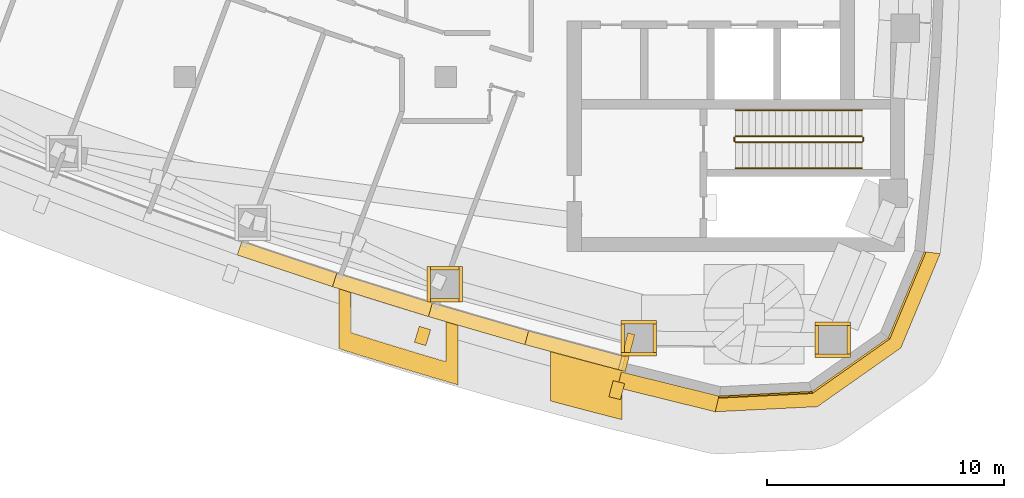
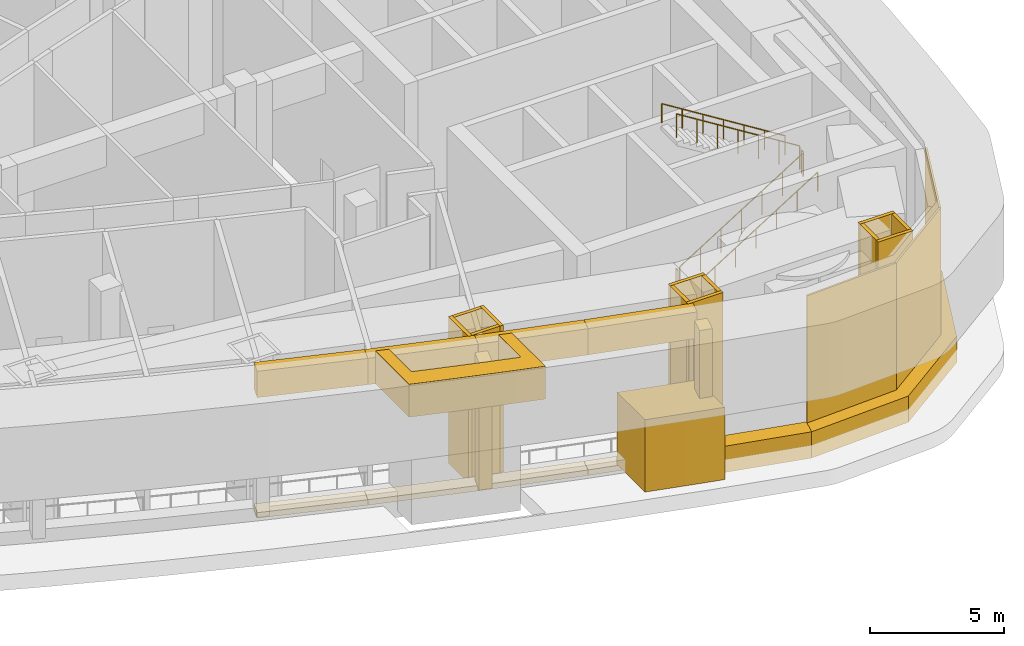
# One storey, part 9 of 12: 30 coverings, 6 railings.
"""IFC4 building model written with IfcOpenShell, lengths in metres."""

from ifc_helpers import new_model, si_unit, direction, frame, frame_2d, origin, origin_2d, place, context, subcontext, project, spatial, polyline, rectangle, circle, outline, extrude, material, layer, layer_set, type_object, element, save


model = new_model("IFC4")

# Units and contexts
model_context = context("Model", 3, precision=1e-05, world=origin(), true_north=direction((0.0, 1.0)))
body_context = subcontext(model_context, "Body", "Model", "MODEL_VIEW")
ifc_project = project(units=[si_unit("LENGTHUNIT", "METRE"), si_unit("AREAUNIT", "SQUARE_METRE"), si_unit("VOLUMEUNIT", "CUBIC_METRE"), si_unit("PLANEANGLEUNIT", "RADIAN"), si_unit("MASSUNIT", "GRAM", prefix="KILO")], contexts=[model_context])

# Site, building, storey
site_placement = place(None, origin())
site = spatial("IfcSite", under=ifc_project, at=site_placement, CompositionType="ELEMENT")
building_placement = place(site_placement, origin())
building = spatial("IfcBuilding", under=site, at=building_placement, Name="Ostrand Prow Hotel Tower", CompositionType="ELEMENT")
storey_placement = place(building_placement, frame((0.0, 0.0, 256.300048828125)))
storey = spatial("IfcBuildingStorey", under=building, at=storey_placement, Name="L65", CompositionType="ELEMENT", Elevation=256.300048828125)

# Coverings
ifc_material_1 = material(Name="Limestone cladding", Category="masonry")
ifc_layer_1 = layer(ifc_material_1, 2.0)
ifc_layer_set_1 = layer_set([ifc_layer_1], Name="Limestone cladding")
covering_type_1 = type_object("IfcCoveringType", Name="Belt lip limestone", PredefinedType="CLADDING", material=ifc_layer_set_1)
covering_1_placement = place(storey_placement, frame((0.0, 0.0, 0.300048828125)))
element("IfcCovering", 1, at=covering_1_placement, inside=storey, type_object=covering_type_1, Name="Slot frame post SB", PredefinedType="CLADDING", context=body_context, shape_type="SweptSolid", body=[
    extrude(outline(polyline([(49.40625, -20.56787109375), (49.40625, -22.640380859375), (50.15625, -22.841796875), (50.90625, -23.0400390625), (51.65625, -23.235595703125), (52.40625, -23.427978515625), (52.40625, -21.363525390625), (51.65625, -21.169189453125), (50.90625, -20.9716796875), (50.15625, -20.771240234375), (49.40625, -20.56787109375)])), origin(), (0.0, 0.0, 1.0), 3.2998046875),
])
ifc_material_2 = material(Name="Bronze anodised aluminium cladding", Category="aluminium")
ifc_layer_2 = layer(ifc_material_2, 0.60009765625)
ifc_layer_set_2 = layer_set([ifc_layer_2], Name="Bronze anodised aluminium cladding")
covering_type_2 = type_object("IfcCoveringType", Name="Bronze spandrel band 1200x600", PredefinedType="CLADDING", material=ifc_layer_set_2)
covering_2_placement = place(storey_placement, frame((0.0, 0.0, -0.300048828125)))
element("IfcCovering", 2, at=covering_2_placement, inside=storey, type_object=covering_type_2, Name="Spandrel band back 1", PredefinedType="CLADDING", context=body_context, shape_type="SweptSolid", body=[
    extrude(outline(polyline([(52.22119140625, -22.081787109375), (56.34130859375, -23.09814453125), (56.49755859375, -22.436279296875), (52.390869140625, -21.42333984375), (52.22119140625, -22.081787109375)])), origin(), (0.0, 0.0, 1.0), 1.199951171875),
])
covering_3_placement = place(storey_placement, frame((0.0, 0.0, -0.300048828125)))
element("IfcCovering", 3, at=covering_3_placement, inside=storey, type_object=covering_type_2, Name="Spandrel band back 2", PredefinedType="CLADDING", context=body_context, shape_type="SweptSolid", body=[
    extrude(outline(polyline([(56.34130859375, -23.09814453125), (60.638671875, -22.8837890625), (64.15771484375, -20.408447265625), (65.81201171875, -16.4365234375), (65.2158203125, -16.368896484375), (63.689697265625, -20.032958984375), (60.443359375, -22.316650390625), (56.47900390625, -22.51416015625), (56.34130859375, -23.09814453125)])), origin(), (0.0, 0.0, 1.0), 1.199951171875),
])
ifc_material_3 = material(Name="Limestone cladding", Category="masonry")
ifc_layer_3 = layer(ifc_material_3, 4.0)
ifc_layer_set_3 = layer_set([ifc_layer_3], Name="Limestone cladding")
covering_type_3 = type_object("IfcCoveringType", Name="Portal lintel limestone", PredefinedType="CLADDING", material=ifc_layer_set_3)
covering_4_placement = place(storey_placement, frame((0.0, 0.0, 5.5)))
element("IfcCovering", 4, at=covering_4_placement, inside=storey, type_object=covering_type_3, Name="Portal jamb cap SB L65", PredefinedType="CLADDING", context=body_context, shape_type="SweptSolid", body=[
    extrude(outline(polyline([(40.99072265625, -18.077880859375), (40.5, -17.92138671875), (40.5, -20.44091796875), (41.5, -20.755615234375), (42.5, -21.064697265625), (43.5, -21.36865234375), (44.5, -21.667236328125), (45.5, -21.960205078125), (45.5, -19.4599609375), (45.010009765625, -19.314453125), (45.010009765625, -20.980712890625), (45.010009765625, -20.981689453125), (45.009765625, -20.982666015625), (45.009521484375, -20.9833984375), (45.00927734375, -20.984375), (45.0087890625, -20.9853515625), (45.00830078125, -20.986083984375), (45.0078125, -20.98681640625), (45.007080078125, -20.98779296875), (45.00634765625, -20.98828125), (45.005615234375, -20.989013671875), (45.004638671875, -20.989501953125), (45.00390625, -20.98974609375), (45.0029296875, -20.990234375), (45.001953125, -20.990478515625), (45.0009765625, -20.990478515625), (45.0, -20.990478515625), (44.9990234375, -20.990478515625), (44.998046875, -20.990478515625), (44.997314453125, -20.990234375), (43.997314453125, -20.693115234375), (43.9970703125, -20.693115234375), (42.9970703125, -20.390625), (42.9970703125, -20.390625), (41.9970703125, -20.0830078125), (41.9970703125, -20.0830078125), (40.9970703125, -19.76953125), (40.99609375, -19.769287109375), (40.9951171875, -19.768798828125), (40.994384765625, -19.768310546875), (40.99365234375, -19.767822265625), (40.992919921875, -19.76708984375), (40.9921875, -19.766357421875), (40.99169921875, -19.765625), (40.9912109375, -19.764892578125), (40.99072265625, -19.763916015625), (40.990478515625, -19.762939453125), (40.990234375, -19.761962890625), (40.989990234375, -19.760986328125), (40.989990234375, -19.760009765625), (40.989990234375, -18.08154296875), (40.989990234375, -18.08056640625), (40.990234375, -18.07958984375), (40.990478515625, -18.07861328125), (40.99072265625, -18.077880859375)])), origin(), (0.0, 0.0, 1.0), 1.5),
])
ifc_material_4 = material(Name="Limestone cladding", Category="masonry")
ifc_layer_4 = layer(ifc_material_4, 0.5)
ifc_layer_set_4 = layer_set([ifc_layer_4], Name="Limestone cladding")
covering_type_4 = type_object("IfcCoveringType", Name="Precast stone fin 500x600", PredefinedType="CLADDING", material=ifc_layer_set_4)
covering_5_placement = place(storey_placement, frame((44.11669921875, -19.570068359375, 0.89990234375), z_axis=(0.0, 0.0, 1.0), x_axis=(-0.288371415505, -0.95751862996, 0.0)))
element("IfcCovering", 5, at=covering_5_placement, inside=storey, type_object=covering_type_4, Name="Stone fin S 9", PredefinedType="CLADDING", context=body_context, shape_type="SweptSolid", body=[
    extrude(rectangle(XDim=0.7001953125, YDim=0.5, at=frame_2d((0.35009765625, 0.0))), origin(), (0.0, 0.0, 1.0), 5.800048828125),
])
covering_6_placement = place(storey_placement, frame((52.281494140625, -21.847900390625, 0.89990234375), z_axis=(0.0, 0.0, 1.0), x_axis=(-0.249097137298, -0.968478505797, 0.0)))
element("IfcCovering", 6, at=covering_6_placement, inside=storey, type_object=covering_type_4, Name="Stone fin S 11", PredefinedType="CLADDING", context=body_context, shape_type="SweptSolid", body=[
    extrude(rectangle(XDim=0.69970703125, YDim=0.5, at=frame_2d((0.349853515625, 0.0))), origin(), (0.0, 0.0, 1.0), 5.800048828125),
])
ifc_material_5 = material(Name="Limestone cladding", Category="masonry")
ifc_layer_5 = layer(ifc_material_5, 0.60009765625)
ifc_layer_set_5 = layer_set([ifc_layer_5], Name="Limestone cladding")
covering_type_5 = type_object("IfcCoveringType", Name="Slot reveal limestone cladding 600 mm", PredefinedType="CLADDING", material=ifc_layer_set_5)
covering_7_placement = place(storey_placement, frame((36.31103515625, -16.209228515625, 0.0), z_axis=(0.0, 0.0, 1.0), x_axis=(0.948474941485, -0.316852150655, 0.0)))
element("IfcCovering", 7, at=covering_7_placement, inside=storey, type_object=covering_type_5, Name="Slot reveal sill S7", PredefinedType="CLADDING", context=body_context, shape_type="SweptSolid", body=[
    extrude(rectangle(XDim=4.222412109375, YDim=0.60009765625, at=frame_2d((2.111328125, 0.0))), origin(), (0.0, 0.0, 1.0), 0.25),
])
covering_8_placement = place(storey_placement, frame((36.31103515625, -16.209228515625, 5.5), z_axis=(0.0, 0.0, 1.0), x_axis=(0.948474941485, -0.316852150655, 0.0)))
element("IfcCovering", 8, at=covering_8_placement, inside=storey, type_object=covering_type_5, Name="Slot reveal soffit S7", PredefinedType="CLADDING", context=body_context, shape_type="SweptSolid", body=[
    extrude(rectangle(XDim=4.222412109375, YDim=0.60009765625, at=frame_2d((2.111328125, 0.0))), origin(), (0.0, 0.0, 1.0), 1.199951171875),
])
covering_9_placement = place(storey_placement, frame((40.31591796875, -17.547119140625, 0.0), z_axis=(0.0, 0.0, 1.0), x_axis=(0.954672171114, -0.297659277869, 0.0)))
element("IfcCovering", 9, at=covering_9_placement, inside=storey, type_object=covering_type_5, Name="Slot reveal sill S8", PredefinedType="CLADDING", context=body_context, shape_type="SweptSolid", body=[
    extrude(rectangle(XDim=4.222412109375, YDim=0.60009765625, at=frame_2d((2.111328125, 0.0))), origin(), (0.0, 0.0, 1.0), 0.25),
])
covering_10_placement = place(storey_placement, frame((40.31591796875, -17.547119140625, 5.5), z_axis=(0.0, 0.0, 1.0), x_axis=(0.954672171114, -0.297659277869, 0.0)))
element("IfcCovering", 10, at=covering_10_placement, inside=storey, type_object=covering_type_5, Name="Slot reveal soffit S8", PredefinedType="CLADDING", context=body_context, shape_type="SweptSolid", body=[
    extrude(rectangle(XDim=4.222412109375, YDim=0.60009765625, at=frame_2d((2.111328125, 0.0))), origin(), (0.0, 0.0, 1.0), 1.199951171875),
])
covering_11_placement = place(storey_placement, frame((44.346923828125, -18.803955078125, 0.0), z_axis=(0.0, 0.0, 1.0), x_axis=(0.960467486358, -0.27839218317, 0.0)))
element("IfcCovering", 11, at=covering_11_placement, inside=storey, type_object=covering_type_5, Name="Slot reveal sill S9", PredefinedType="CLADDING", context=body_context, shape_type="SweptSolid", body=[
    extrude(rectangle(XDim=4.22265625, YDim=0.60009765625, at=frame_2d((2.111328125, 0.0))), origin(), (0.0, 0.0, 1.0), 0.25),
])
covering_12_placement = place(storey_placement, frame((44.346923828125, -18.803955078125, 5.5), z_axis=(0.0, 0.0, 1.0), x_axis=(0.960467486358, -0.27839218317, 0.0)))
element("IfcCovering", 12, at=covering_12_placement, inside=storey, type_object=covering_type_5, Name="Slot reveal soffit S9", PredefinedType="CLADDING", context=body_context, shape_type="SweptSolid", body=[
    extrude(rectangle(XDim=4.22265625, YDim=0.60009765625, at=frame_2d((2.111328125, 0.0))), origin(), (0.0, 0.0, 1.0), 1.199951171875),
])
covering_13_placement = place(storey_placement, frame((48.402587890625, -19.9794921875, 0.0), z_axis=(0.0, 0.0, 1.0), x_axis=(0.965883767671, -0.258975959018, 0.0)))
element("IfcCovering", 13, at=covering_13_placement, inside=storey, type_object=covering_type_5, Name="Slot reveal sill S10", PredefinedType="CLADDING", context=body_context, shape_type="SweptSolid", body=[
    extrude(rectangle(XDim=4.222412109375, YDim=0.60009765625, at=frame_2d((2.111328125, 0.0))), origin(), (0.0, 0.0, 1.0), 0.25),
])
covering_14_placement = place(storey_placement, frame((48.402587890625, -19.9794921875, 5.5), z_axis=(0.0, 0.0, 1.0), x_axis=(0.965883767671, -0.258975959018, 0.0)))
element("IfcCovering", 14, at=covering_14_placement, inside=storey, type_object=covering_type_5, Name="Slot reveal soffit S10", PredefinedType="CLADDING", context=body_context, shape_type="SweptSolid", body=[
    extrude(rectangle(XDim=4.222412109375, YDim=0.60009765625, at=frame_2d((2.111328125, 0.0))), origin(), (0.0, 0.0, 1.0), 1.199951171875),
])
covering_15_placement = place(storey_placement, frame((52.40625, -21.363525390625, 0.25), z_axis=(0.0, 0.0, 1.0), x_axis=(0.249208717817, 0.968449799919, 0.0)))
element("IfcCovering", 15, at=covering_15_placement, inside=storey, type_object=covering_type_5, Name="Slot reveal jamb SB", PredefinedType="CLADDING", context=body_context, shape_type="SweptSolid", body=[
    extrude(rectangle(XDim=1.599853515625, YDim=0.300048828125, at=frame_2d((0.7998046875, 0.0))), origin(), (0.0, 0.0, 1.0), 5.25),
])
for number, where, z_axis, x_axis, name in (
    (16, (44.19677734375, -18.406005859375, 0.0), (0.0, 0.0, 1.0), (1.0, 0.0, 0.0), "Slot column sleeve MC-S5 1"),
    (17, (45.621826171875, -18.481201171875, 0.0), (0.0, 0.0, 1.0), (0.0, 1.0, 0.0), "Slot column sleeve MC-S5 2"),
    (18, (45.69677734375, -17.05615234375, 0.0), (0.0, 0.0, 1.0), (-1.0, 0.0, 0.0), "Slot column sleeve MC-S5 3"),
    (19, (44.271728515625, -16.981201171875, 0.0), (0.0, 0.0, 1.0), (0.0, -1.0, 0.0), "Slot column sleeve MC-S5 4"),
    (20, (52.37548828125, -20.674560546875, 0.0), (0.0, 0.0, 1.0), (1.0, 0.0, 0.0), "Slot column sleeve MC-S6 1"),
    (21, (53.800537109375, -20.74951171875, 0.0), (0.0, 0.0, 1.0), (0.0, 1.0, 0.0), "Slot column sleeve MC-S6 2"),
    (22, (53.87548828125, -19.324462890625, 0.0), (0.0, 0.0, 1.0), (-1.0, 0.0, 0.0), "Slot column sleeve MC-S6 3"),
    (23, (52.450439453125, -19.24951171875, 0.0), (0.0, 0.0, 1.0), (0.0, -1.0, 0.0), "Slot column sleeve MC-S6 4"),
    (24, (60.533935546875, -20.737060546875, 0.0), (0.0, 0.0, 1.0), (1.0, 0.0, 0.0), "Slot column sleeve MC-SE 1"),
    (25, (61.958984375, -20.81201171875, 0.0), (0.0, 0.0, 1.0), (0.0, 1.0, 0.0), "Slot column sleeve MC-SE 2"),
    (26, (62.033935546875, -19.38720703125, 0.0), (0.0, 0.0, 1.0), (-1.0, 0.0, 0.0), "Slot column sleeve MC-SE 3"),
    (27, (60.60888671875, -19.31201171875, 0.0), (0.0, 0.0, 1.0), (0.0, -1.0, 0.0), "Slot column sleeve MC-SE 4"),
):
    element("IfcCovering", number, at=place(storey_placement, frame(where, z_axis=z_axis, x_axis=x_axis)), inside=storey, type_object=covering_type_5, Name=name, PredefinedType="CLADDING", context=body_context, shape_type="SweptSolid", body=[
        extrude(rectangle(XDim=1.5, YDim=0.14990234375, at=frame_2d((0.75, 0.0))), origin(), (0.0, 0.0, 1.0), 6.699951171875),
    ])

# Railings
ifc_material_6 = material(Name="Painted steel", Category="steel")
railing_type_1 = type_object("IfcRailingType", Name="Stair guard 1100", PredefinedType="GUARDRAIL", material=ifc_material_6)
railing_1_placement = place(storey_placement, frame((57.199951171875, -11.75, 0.175048828125)))
element("IfcRailing", 28, at=railing_1_placement, inside=storey, type_object=railing_type_1, Name="L65 ST2C stair guard 1", PredefinedType="GUARDRAIL", context=body_context, shape_type="SweptSolid", body=[
    extrude(circle(Radius=0.02392578125, at=origin_2d()), frame((0.0, 0.0, 1.076171875), z_axis=(0.848004862711, 0.0, 0.52998844593), x_axis=(0.0, 1.0, 0.0)), (0.0, 0.0, 1.0), 6.273681640625),
    extrude(circle(Radius=0.02099609375, at=origin_2d()), origin(), (0.0, 0.0, 1.0), 1.052001953125),
    extrude(circle(Radius=0.02099609375, at=origin_2d()), frame((0.88671875, 0.0, 0.55419921875)), (0.0, 0.0, 1.0), 1.052001953125),
    extrude(circle(Radius=0.02099609375, at=origin_2d()), frame((1.7734375, 0.0, 1.1083984375)), (0.0, 0.0, 1.0), 1.052001953125),
    extrude(circle(Radius=0.02099609375, at=origin_2d()), frame((2.66015625, 0.0, 1.66259765625)), (0.0, 0.0, 1.0), 1.052001953125),
    extrude(circle(Radius=0.02099609375, at=origin_2d()), frame((3.546630859375, 0.0, 2.216552734375)), (0.0, 0.0, 1.0), 1.052001953125),
    extrude(circle(Radius=0.02099609375, at=origin_2d()), frame((4.433349609375, 0.0, 2.770751953125)), (0.0, 0.0, 1.0), 1.052001953125),
    extrude(circle(Radius=0.02099609375, at=origin_2d()), frame((5.320068359375, 0.0, 3.324951171875)), (0.0, 0.0, 1.0), 1.052001953125),
])
railing_2_placement = place(storey_placement, frame((62.570068359375, -11.699951171875, 3.5)))
element("IfcRailing", 29, at=railing_2_placement, inside=storey, type_object=railing_type_1, Name="L65 ST2C stair guard 2", PredefinedType="GUARDRAIL", context=body_context, shape_type="SweptSolid", body=[
    extrude(circle(Radius=0.02392578125, at=origin_2d()), frame((0.0, 0.0, 1.076171875), z_axis=(0.0, 1.0, 0.0), x_axis=(-1.0, 0.0, 0.0)), (0.0, 0.0, 1.0), 0.14990234375),
    extrude(circle(Radius=0.02099609375, at=origin_2d()), origin(), (0.0, 0.0, 1.0), 1.052001953125),
    extrude(circle(Radius=0.02099609375, at=origin_2d()), frame((0.0, 0.14990234375, 0.0)), (0.0, 0.0, 1.0), 1.052001953125),
])
railing_3_placement = place(storey_placement, frame((62.52001953125, -11.5, 3.675048828125)))
element("IfcRailing", 30, at=railing_3_placement, inside=storey, type_object=railing_type_1, Name="L65 ST2C stair guard 3", PredefinedType="GUARDRAIL", context=body_context, shape_type="SweptSolid", body=[
    extrude(circle(Radius=0.02392578125, at=origin_2d()), frame((0.0, 0.0, 1.076171875), z_axis=(-0.848004862711, 0.0, 0.52998844593), x_axis=(0.0, -1.0, 0.0)), (0.0, 0.0, 1.0), 6.273681640625),
    extrude(circle(Radius=0.02099609375, at=origin_2d()), origin(), (0.0, 0.0, 1.0), 1.052001953125),
    extrude(circle(Radius=0.02099609375, at=origin_2d()), frame((-0.88671875, 0.0, 0.55419921875)), (0.0, 0.0, 1.0), 1.052001953125),
    extrude(circle(Radius=0.02099609375, at=origin_2d()), frame((-1.7734375, 0.0, 1.1083984375)), (0.0, 0.0, 1.0), 1.052001953125),
    extrude(circle(Radius=0.02099609375, at=origin_2d()), frame((-2.66015625, 0.0, 1.66259765625)), (0.0, 0.0, 1.0), 1.052001953125),
    extrude(circle(Radius=0.02099609375, at=origin_2d()), frame((-3.546630859375, 0.0, 2.216552734375)), (0.0, 0.0, 1.0), 1.052001953125),
    extrude(circle(Radius=0.02099609375, at=origin_2d()), frame((-4.433349609375, 0.0, 2.770751953125)), (0.0, 0.0, 1.0), 1.052001953125),
    extrude(circle(Radius=0.02099609375, at=origin_2d()), frame((-5.320068359375, 0.0, 3.324951171875)), (0.0, 0.0, 1.0), 1.052001953125),
])
railing_4_placement = place(storey_placement, frame((57.14990234375, -11.699951171875, 0.0)))
element("IfcRailing", 31, at=railing_4_placement, inside=storey, type_object=railing_type_1, Name="L65 ST2C stair guard 4", PredefinedType="GUARDRAIL", context=body_context, shape_type="SweptSolid", body=[
    extrude(circle(Radius=0.02392578125, at=origin_2d()), frame((0.0, 0.0, 1.076171875), z_axis=(0.0, 1.0, 0.0), x_axis=(-1.0, 0.0, 0.0)), (0.0, 0.0, 1.0), 0.14990234375),
    extrude(circle(Radius=0.02099609375, at=origin_2d()), origin(), (0.0, 0.0, 1.0), 1.052001953125),
    extrude(circle(Radius=0.02099609375, at=origin_2d()), frame((0.0, 0.14990234375, 0.0)), (0.0, 0.0, 1.0), 1.052001953125),
])
ifc_material_7 = material(Name="Stainless steel", Category="steel")
railing_type_2 = type_object("IfcRailingType", Name="Stair handrail 900", PredefinedType="HANDRAIL", material=ifc_material_7)
railing_5_placement = place(storey_placement, frame((57.199951171875, -12.85009765625, 0.175048828125)))
element("IfcRailing", 32, at=railing_5_placement, inside=storey, type_object=railing_type_2, Name="L65 ST2C stair handrail 1", PredefinedType="HANDRAIL", context=body_context, shape_type="SweptSolid", body=[
    extrude(circle(Radius=0.02392578125, at=origin_2d()), frame((0.0, 0.0, 0.8759765625), z_axis=(0.848004862711, 0.0, 0.52998844593), x_axis=(0.0, 1.0, 0.0)), (0.0, 0.0, 1.0), 6.273681640625),
    extrude(circle(Radius=0.02099609375, at=origin_2d()), origin(), (0.0, 0.0, 1.0), 0.851806640625),
    extrude(circle(Radius=0.02099609375, at=origin_2d()), frame((0.88671875, 0.0, 0.55419921875)), (0.0, 0.0, 1.0), 0.851806640625),
    extrude(circle(Radius=0.02099609375, at=origin_2d()), frame((1.7734375, 0.0, 1.1083984375)), (0.0, 0.0, 1.0), 0.851806640625),
    extrude(circle(Radius=0.02099609375, at=origin_2d()), frame((2.66015625, 0.0, 1.66259765625)), (0.0, 0.0, 1.0), 0.851806640625),
    extrude(circle(Radius=0.02099609375, at=origin_2d()), frame((3.546630859375, 0.0, 2.216552734375)), (0.0, 0.0, 1.0), 0.851806640625),
    extrude(circle(Radius=0.02099609375, at=origin_2d()), frame((4.433349609375, 0.0, 2.770751953125)), (0.0, 0.0, 1.0), 0.851806640625),
    extrude(circle(Radius=0.02099609375, at=origin_2d()), frame((5.320068359375, 0.0, 3.324951171875)), (0.0, 0.0, 1.0), 0.851806640625),
])
railing_6_placement = place(storey_placement, frame((62.52001953125, -10.39990234375, 3.675048828125)))
element("IfcRailing", 33, at=railing_6_placement, inside=storey, type_object=railing_type_2, Name="L65 ST2C stair handrail 2", PredefinedType="HANDRAIL", context=body_context, shape_type="SweptSolid", body=[
    extrude(circle(Radius=0.02392578125, at=origin_2d()), frame((0.0, 0.0, 0.8759765625), z_axis=(-0.848004862711, 0.0, 0.52998844593), x_axis=(0.0, -1.0, 0.0)), (0.0, 0.0, 1.0), 6.273681640625),
    extrude(circle(Radius=0.02099609375, at=origin_2d()), origin(), (0.0, 0.0, 1.0), 0.851806640625),
    extrude(circle(Radius=0.02099609375, at=origin_2d()), frame((-0.88671875, 0.0, 0.55419921875)), (0.0, 0.0, 1.0), 0.851806640625),
    extrude(circle(Radius=0.02099609375, at=origin_2d()), frame((-1.7734375, 0.0, 1.1083984375)), (0.0, 0.0, 1.0), 0.851806640625),
    extrude(circle(Radius=0.02099609375, at=origin_2d()), frame((-2.66015625, 0.0, 1.66259765625)), (0.0, 0.0, 1.0), 0.851806640625),
    extrude(circle(Radius=0.02099609375, at=origin_2d()), frame((-3.546630859375, 0.0, 2.216552734375)), (0.0, 0.0, 1.0), 0.851806640625),
    extrude(circle(Radius=0.02099609375, at=origin_2d()), frame((-4.433349609375, 0.0, 2.770751953125)), (0.0, 0.0, 1.0), 0.851806640625),
    extrude(circle(Radius=0.02099609375, at=origin_2d()), frame((-5.320068359375, 0.0, 3.324951171875)), (0.0, 0.0, 1.0), 0.851806640625),
])

# Coverings
ifc_material_8 = material(Name="Limestone cladding", Category="masonry")
ifc_layer_6 = layer(ifc_material_8, 0.080078125)
ifc_layer_set_6 = layer_set([ifc_layer_6], Name="Limestone cladding")
covering_type_6 = type_object("IfcCoveringType", Name="Warm limestone cladding 80 mm", PredefinedType="CLADDING", material=ifc_layer_set_6)
covering_16_placement = place(storey_placement, frame((56.48828125, -22.475341796875, 0.0), z_axis=(0.0, 0.0, 1.0), x_axis=(0.998759578096, 0.049792621562, 0.0)))
element("IfcCovering", 34, at=covering_16_placement, inside=storey, type_object=covering_type_6, Name="Limestone cladding back 2", PredefinedType="CLADDING", context=body_context, shape_type="SweptSolid", body=[
    extrude(outline(polyline([(-0.005859375, -0.0400390625), (3.958740234375, -0.0400390625), (3.935302734375, 0.0400390625), (0.005859375, 0.0400390625), (-0.005859375, -0.0400390625)])), origin(), (0.0, 0.0, 1.0), 6.699951171875),
])
covering_17_placement = place(storey_placement, frame((60.430419921875, -22.27880859375, 0.0), z_axis=(0.0, 0.0, 1.0), x_axis=(0.817925007009, 0.575324849897, 0.0)))
element("IfcCovering", 35, at=covering_17_placement, inside=storey, type_object=covering_type_6, Name="Limestone cladding back 3", PredefinedType="CLADDING", context=body_context, shape_type="SweptSolid", body=[
    extrude(outline(polyline([(-0.01171875, -0.0400390625), (3.958740234375, -0.0400390625), (3.935302734375, 0.0400390625), (0.01171875, 0.0400390625), (-0.01171875, -0.0400390625)])), origin(), (0.0, 0.0, 1.0), 6.699951171875),
])
covering_18_placement = place(storey_placement, frame((63.65869140625, -20.008056640625, 0.0), z_axis=(0.0, 0.0, 1.0), x_axis=(0.384439689844, 0.92315010961, 0.0)))
element("IfcCovering", 36, at=covering_18_placement, inside=storey, type_object=covering_type_6, Name="Limestone cladding back 4", PredefinedType="CLADDING", context=body_context, shape_type="SweptSolid", body=[
    extrude(outline(polyline([(-0.01171875, -0.0400390625), (3.952880859375, -0.0400390625), (3.940673828125, 0.0400390625), (0.01171875, 0.0400390625), (-0.01171875, -0.0400390625)])), origin(), (0.0, 0.0, 1.0), 6.699951171875),
])

save(model, "model.ifc")
